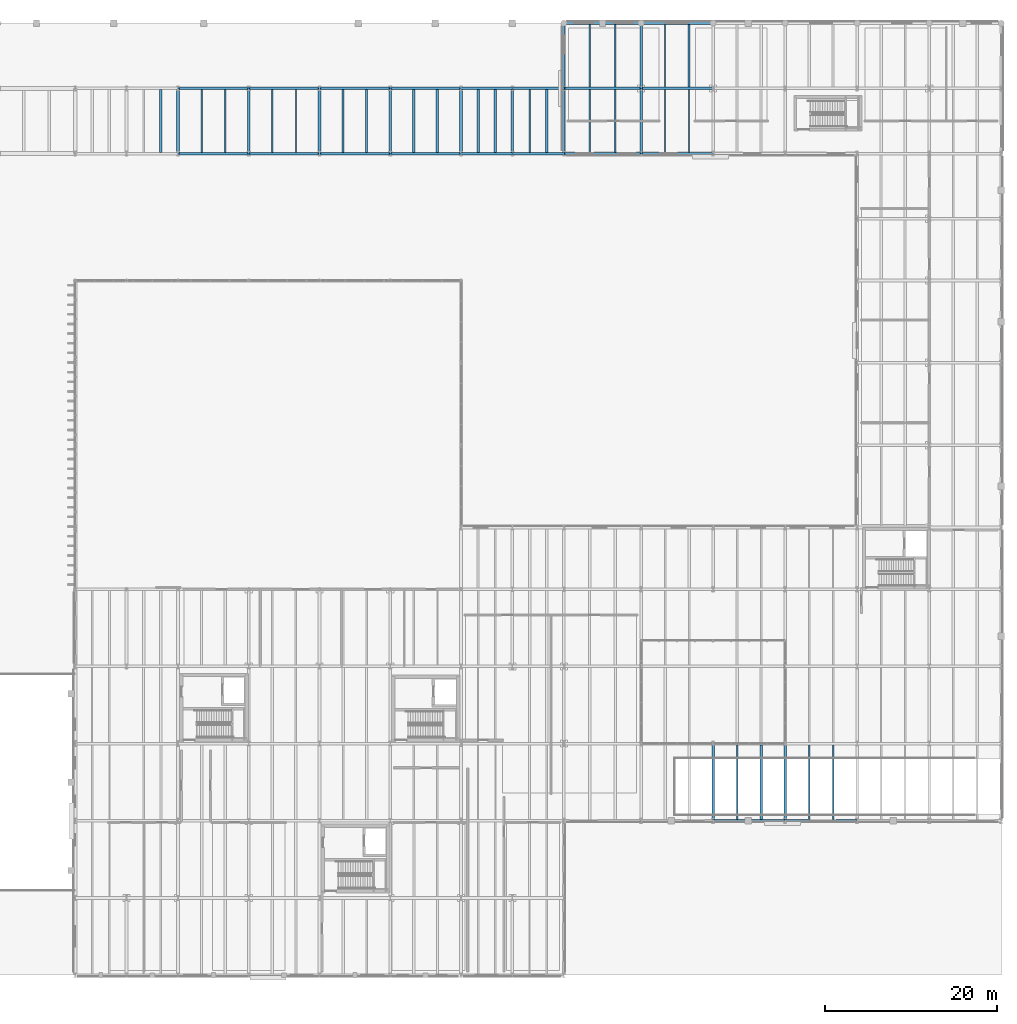
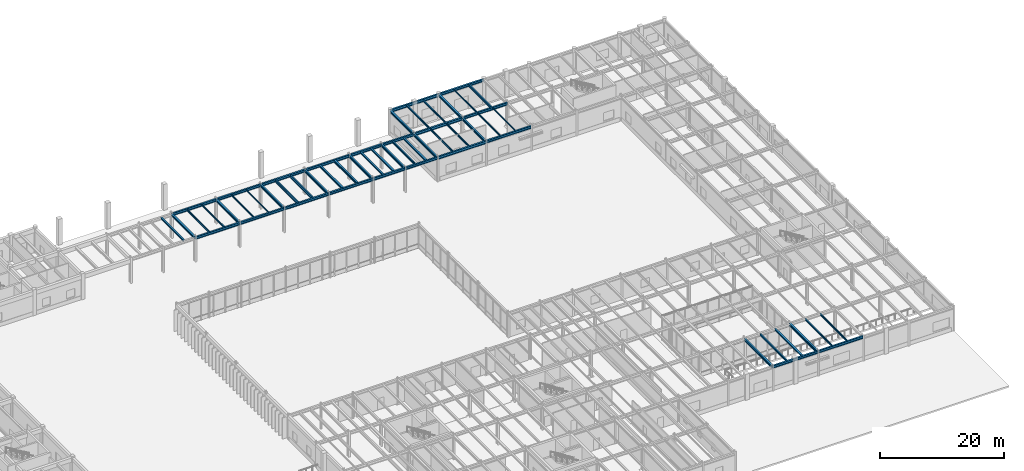
# One storey, part 27 of 64: 57 beams.
"""IFC4 building model written with IfcOpenShell, lengths in metres."""

from ifc_helpers import new_model, si_unit, direction, frame, origin, origin_2d, place, context, subcontext, project, spatial, i_section, extrude, material, material_profile, profile_set, type_object, element, save


model = new_model("IFC4")

# Units and contexts
model_context = context("Model", 3, precision=1e-05, world=origin(), true_north=direction((0.0, 1.0)))
body_context = subcontext(model_context, "Body", "Model", "MODEL_VIEW")
ifc_project = project(units=[si_unit("LENGTHUNIT", "METRE"), si_unit("AREAUNIT", "SQUARE_METRE"), si_unit("VOLUMEUNIT", "CUBIC_METRE"), si_unit("PLANEANGLEUNIT", "RADIAN"), si_unit("MASSUNIT", "GRAM", prefix="KILO")], contexts=[model_context])

# Site, building, storey
site_placement = place(None, origin())
site = spatial("IfcSite", under=ifc_project, at=site_placement, CompositionType="ELEMENT")
building_placement = place(site_placement, origin())
building = spatial("IfcBuilding", under=site, at=building_placement, Name="Montealbar Specialist Clinic", CompositionType="ELEMENT")
storey_placement = place(building_placement, origin())
storey = spatial("IfcBuildingStorey", under=building, at=storey_placement, Name="L00", CompositionType="ELEMENT", Elevation=0.0)

# Beams
ifc_material = material(Name="Steel S355", Category="steel")
ifc_material_profile_1 = material_profile(ifc_material, i_section(OverallWidth=0.300048828125, OverallDepth=0.449951171875, WebThickness=0.013916015625, FlangeThickness=0.02587890625, FilletRadius=0.027099609375, at=origin_2d()), Name="HEB 450", Category="steel")
ifc_profile_set_1 = profile_set([ifc_material_profile_1], Name="Steel S355")
beam_type_1 = type_object("IfcBeamType", Name="BM-GIRD-HEB450", PredefinedType="BEAM", material=ifc_profile_set_1)
for number, where, z_axis, x_axis, name in (
    (1, (66.0, 95.800048828125, 4.5849609375), (0.0, 1.0, 0.0), (-1.0, 0.0, 0.0), "Beam GY-L00-660-958-1034"),
    (2, (74.25, 95.800048828125, 4.5849609375), (0.0, 1.0, 0.0), (-1.0, 0.0, 0.0), "Beam GY-L00-742-958-1034"),
    (3, (82.5, 95.800048828125, 4.5849609375), (0.0, 1.0, 0.0), (-1.0, 0.0, 0.0), "Beam GY-L00-825-958-1034"),
    (4, (90.75, 95.800048828125, 4.5849609375), (0.0, 1.0, 0.0), (-1.0, 0.0, 0.0), "Beam GY-L00-908-958-1034"),
    (5, (99.0, 95.800048828125, 4.5849609375), (0.0, 1.0, 0.0), (-1.0, 0.0, 0.0), "Beam GY-L00-990-958-1034"),
    (6, (105.0, 95.800048828125, 4.5849609375), (0.0, 1.0, 0.0), (-1.0, 0.0, 0.0), "Beam GY-L00-1050-958-1034"),
    (7, (111.0, 95.800048828125, 4.5849609375), (0.0, 1.0, 0.0), (-1.0, 0.0, 0.0), "Beam GY-L00-1110-958-1034"),
    (8, (120.0, 95.800048828125, 4.5849609375), (0.0, 1.0, 0.0), (-1.0, 0.0, 0.0), "Beam GY-L00-1200-958-1034"),
):
    element("IfcBeam", number, at=place(storey_placement, frame(where, z_axis=z_axis, x_axis=x_axis)), inside=storey, type_object=beam_type_1, Name=name, PredefinedType="BEAM", context=body_context, shape_type="SweptSolid", body=[
        extrude(i_section(OverallWidth=0.300048828125, OverallDepth=0.449951171875, WebThickness=0.013916015625, FlangeThickness=0.02587890625, FilletRadius=0.027099609375, at=origin_2d()), origin(), (0.0, 0.0, 1.0), 7.599853515625),
    ])
ifc_material_profile_2 = material_profile(ifc_material, i_section(OverallWidth=0.300048828125, OverallDepth=0.449951171875, WebThickness=0.013916015625, FlangeThickness=0.02587890625, FilletRadius=0.027099609375, at=origin_2d()), Name="HEB 450", Category="steel")
ifc_profile_set_2 = profile_set([ifc_material_profile_2], Name="Steel S355")
beam_type_2 = type_object("IfcBeamType", Name="BM-GIRD-HEB450-EXT", PredefinedType="BEAM", material=ifc_profile_set_2)
for number, where, z_axis, x_axis, name in (
    (9, (111.0, 103.39990234375, 4.5849609375), (0.0, 1.0, 0.0), (-1.0, 0.0, 0.0), "Beam GY-L00-1110-1034-1110"),
    (10, (120.0, 103.39990234375, 4.5849609375), (0.0, 1.0, 0.0), (-1.0, 0.0, 0.0), "Beam GY-L00-1200-1034-1110"),
):
    element("IfcBeam", number, at=place(storey_placement, frame(where, z_axis=z_axis, x_axis=x_axis)), inside=storey, type_object=beam_type_2, Name=name, PredefinedType="BEAM", context=body_context, shape_type="SweptSolid", body=[
        extrude(i_section(OverallWidth=0.300048828125, OverallDepth=0.449951171875, WebThickness=0.013916015625, FlangeThickness=0.02587890625, FilletRadius=0.027099609375, at=origin_2d()), origin(), (0.0, 0.0, 1.0), 7.60009765625),
    ])
ifc_material_profile_3 = material_profile(ifc_material, i_section(OverallWidth=0.300048828125, OverallDepth=0.5, WebThickness=0.014404296875, FlangeThickness=0.028076171875, FilletRadius=0.027099609375, at=origin_2d()), Name="HEB 500", Category="steel")
ifc_profile_set_3 = profile_set([ifc_material_profile_3], Name="Steel S355")
beam_type_3 = type_object("IfcBeamType", Name="BM-GIRD-HEB500", PredefinedType="BEAM", material=ifc_profile_set_3)
for number, where, z_axis, x_axis, name in (
    (11, (66.0, 103.39990234375, 4.56005859375), (1.0, 0.0, 0.0), (0.0, 1.0, 0.0), "Beam GX-L00-660-742-1034"),
    (12, (74.25, 103.39990234375, 4.56005859375), (1.0, 0.0, 0.0), (0.0, 1.0, 0.0), "Beam GX-L00-742-825-1034"),
    (13, (82.5, 103.39990234375, 4.56005859375), (1.0, 0.0, 0.0), (0.0, 1.0, 0.0), "Beam GX-L00-825-908-1034"),
    (14, (90.75, 103.39990234375, 4.56005859375), (1.0, 0.0, 0.0), (0.0, 1.0, 0.0), "Beam GX-L00-908-990-1034"),
):
    element("IfcBeam", number, at=place(storey_placement, frame(where, z_axis=z_axis, x_axis=x_axis)), inside=storey, type_object=beam_type_3, Name=name, PredefinedType="BEAM", context=body_context, shape_type="SweptSolid", body=[
        extrude(i_section(OverallWidth=0.300048828125, OverallDepth=0.5, WebThickness=0.014404296875, FlangeThickness=0.028076171875, FilletRadius=0.027099609375, at=origin_2d()), origin(), (0.0, 0.0, 1.0), 8.25),
    ])
for number, where, z_axis, x_axis, name in (
    (15, (99.0, 103.39990234375, 4.56005859375), (1.0, 0.0, 0.0), (0.0, 1.0, 0.0), "Beam GX-L00-990-1050-1034"),
    (16, (105.0, 103.39990234375, 4.56005859375), (1.0, 0.0, 0.0), (0.0, 1.0, 0.0), "Beam GX-L00-1050-1110-1034"),
):
    element("IfcBeam", number, at=place(storey_placement, frame(where, z_axis=z_axis, x_axis=x_axis)), inside=storey, type_object=beam_type_3, Name=name, PredefinedType="BEAM", context=body_context, shape_type="SweptSolid", body=[
        extrude(i_section(OverallWidth=0.300048828125, OverallDepth=0.5, WebThickness=0.014404296875, FlangeThickness=0.028076171875, FilletRadius=0.027099609375, at=origin_2d()), origin(), (0.0, 0.0, 1.0), 6.0),
    ])
beam_1_placement = place(storey_placement, frame((120.0, 103.39990234375, 4.56005859375), z_axis=(1.0, 0.0, 0.0), x_axis=(0.0, 1.0, 0.0)))
element("IfcBeam", 17, at=beam_1_placement, inside=storey, type_object=beam_type_3, Name="Beam GX-L00-1200-1284-1034", PredefinedType="BEAM", context=body_context, shape_type="SweptSolid", body=[
    extrude(i_section(OverallWidth=0.300048828125, OverallDepth=0.5, WebThickness=0.014404296875, FlangeThickness=0.028076171875, FilletRadius=0.027099609375, at=origin_2d()), origin(), (0.0, 0.0, 1.0), 8.39990234375),
])
ifc_material_profile_4 = material_profile(ifc_material, i_section(OverallWidth=0.300048828125, OverallDepth=0.5, WebThickness=0.014404296875, FlangeThickness=0.028076171875, FilletRadius=0.027099609375, at=origin_2d()), Name="HEB 500", Category="steel")
ifc_profile_set_4 = profile_set([ifc_material_profile_4], Name="Steel S355")
beam_type_4 = type_object("IfcBeamType", Name="BM-GIRD-HEB500-EXT", PredefinedType="BEAM", material=ifc_profile_set_4)
beam_2_placement = place(storey_placement, frame((128.39990234375, 18.0, 4.580078125), z_axis=(1.0, 0.0, 0.0), x_axis=(0.0, 1.0, 0.0)))
element("IfcBeam", 18, at=beam_2_placement, inside=storey, type_object=beam_type_4, Name="Beam GX-L00-1284-1368-180", PredefinedType="BEAM", context=body_context, shape_type="SweptSolid", body=[
    extrude(i_section(OverallWidth=0.300048828125, OverallDepth=0.5, WebThickness=0.014404296875, FlangeThickness=0.028076171875, FilletRadius=0.027099609375, at=origin_2d()), origin(), (0.0, 0.0, 1.0), 8.400146484375),
])
beam_3_placement = place(storey_placement, frame((136.800048828125, 18.0, 4.580078125), z_axis=(1.0, 0.0, 0.0), x_axis=(0.0, 1.0, 0.0)))
element("IfcBeam", 19, at=beam_3_placement, inside=storey, type_object=beam_type_4, Name="Beam GX-L00-1368-1452-180", PredefinedType="BEAM", context=body_context, shape_type="SweptSolid", body=[
    extrude(i_section(OverallWidth=0.300048828125, OverallDepth=0.5, WebThickness=0.014404296875, FlangeThickness=0.028076171875, FilletRadius=0.027099609375, at=origin_2d()), origin(), (0.0, 0.0, 1.0), 8.39990234375),
])
for number, where, z_axis, x_axis, name in (
    (20, (66.0, 95.800048828125, 4.56005859375), (1.0, 0.0, 0.0), (0.0, 1.0, 0.0), "Beam GX-L00-660-742-958"),
    (21, (74.25, 95.800048828125, 4.56005859375), (1.0, 0.0, 0.0), (0.0, 1.0, 0.0), "Beam GX-L00-742-825-958"),
    (22, (82.5, 95.800048828125, 4.56005859375), (1.0, 0.0, 0.0), (0.0, 1.0, 0.0), "Beam GX-L00-825-908-958"),
    (23, (90.75, 95.800048828125, 4.56005859375), (1.0, 0.0, 0.0), (0.0, 1.0, 0.0), "Beam GX-L00-908-990-958"),
):
    element("IfcBeam", number, at=place(storey_placement, frame(where, z_axis=z_axis, x_axis=x_axis)), inside=storey, type_object=beam_type_4, Name=name, PredefinedType="BEAM", context=body_context, shape_type="SweptSolid", body=[
        extrude(i_section(OverallWidth=0.300048828125, OverallDepth=0.5, WebThickness=0.014404296875, FlangeThickness=0.028076171875, FilletRadius=0.027099609375, at=origin_2d()), origin(), (0.0, 0.0, 1.0), 8.25),
    ])
for number, where, z_axis, x_axis, name in (
    (24, (99.0, 95.800048828125, 4.56005859375), (1.0, 0.0, 0.0), (0.0, 1.0, 0.0), "Beam GX-L00-990-1050-958"),
    (25, (105.0, 95.800048828125, 4.56005859375), (1.0, 0.0, 0.0), (0.0, 1.0, 0.0), "Beam GX-L00-1050-1110-958"),
):
    element("IfcBeam", number, at=place(storey_placement, frame(where, z_axis=z_axis, x_axis=x_axis)), inside=storey, type_object=beam_type_4, Name=name, PredefinedType="BEAM", context=body_context, shape_type="SweptSolid", body=[
        extrude(i_section(OverallWidth=0.300048828125, OverallDepth=0.5, WebThickness=0.014404296875, FlangeThickness=0.028076171875, FilletRadius=0.027099609375, at=origin_2d()), origin(), (0.0, 0.0, 1.0), 6.0),
    ])
for number, where, z_axis, x_axis, name in (
    (26, (120.0, 95.800048828125, 4.56005859375), (1.0, 0.0, 0.0), (0.0, 1.0, 0.0), "Beam GX-L00-1200-1284-958"),
    (27, (120.0, 111.0, 4.580078125), (1.0, 0.0, 0.0), (0.0, 1.0, 0.0), "Beam GX-L00-1200-1284-1110"),
):
    element("IfcBeam", number, at=place(storey_placement, frame(where, z_axis=z_axis, x_axis=x_axis)), inside=storey, type_object=beam_type_4, Name=name, PredefinedType="BEAM", context=body_context, shape_type="SweptSolid", body=[
        extrude(i_section(OverallWidth=0.300048828125, OverallDepth=0.5, WebThickness=0.014404296875, FlangeThickness=0.028076171875, FilletRadius=0.027099609375, at=origin_2d()), origin(), (0.0, 0.0, 1.0), 8.39990234375),
    ])
for number, where, z_axis, x_axis, name in (
    (28, (128.39990234375, 18.0, 4.56005859375), (0.0, 1.0, 0.0), (-1.0, 0.0, 0.0), "Beam GY-L00-1284-180-270"),
    (29, (136.800048828125, 18.0, 4.56005859375), (0.0, 1.0, 0.0), (-1.0, 0.0, 0.0), "Beam GY-L00-1368-180-270"),
):
    element("IfcBeam", number, at=place(storey_placement, frame(where, z_axis=z_axis, x_axis=x_axis)), inside=storey, type_object=beam_type_4, Name=name, PredefinedType="BEAM", context=body_context, shape_type="SweptSolid", body=[
        extrude(i_section(OverallWidth=0.300048828125, OverallDepth=0.5, WebThickness=0.014404296875, FlangeThickness=0.028076171875, FilletRadius=0.027099609375, at=origin_2d()), origin(), (0.0, 0.0, 1.0), 9.0),
    ])
ifc_material_profile_5 = material_profile(ifc_material, i_section(OverallWidth=0.300048828125, OverallDepth=0.550048828125, WebThickness=0.014892578125, FlangeThickness=0.029052734375, FilletRadius=0.027099609375, at=origin_2d()), Name="HEB 550", Category="steel")
ifc_profile_set_5 = profile_set([ifc_material_profile_5], Name="Steel S355")
beam_type_5 = type_object("IfcBeamType", Name="BM-GIRD-HEB550", PredefinedType="BEAM", material=ifc_profile_set_5)
beam_4_placement = place(storey_placement, frame((111.0, 103.39990234375, 4.534912109375), z_axis=(1.0, 0.0, 0.0), x_axis=(0.0, 1.0, 0.0)))
element("IfcBeam", 30, at=beam_4_placement, inside=storey, type_object=beam_type_5, Name="Beam GX-L00-1110-1200-1034", PredefinedType="BEAM", context=body_context, shape_type="SweptSolid", body=[
    extrude(i_section(OverallWidth=0.300048828125, OverallDepth=0.550048828125, WebThickness=0.014892578125, FlangeThickness=0.029052734375, FilletRadius=0.027099609375, at=origin_2d()), origin(), (0.0, 0.0, 1.0), 9.0),
])
ifc_material_profile_6 = material_profile(ifc_material, i_section(OverallWidth=0.300048828125, OverallDepth=0.550048828125, WebThickness=0.014892578125, FlangeThickness=0.029052734375, FilletRadius=0.027099609375, at=origin_2d()), Name="HEB 550", Category="steel")
ifc_profile_set_6 = profile_set([ifc_material_profile_6], Name="Steel S355")
beam_type_6 = type_object("IfcBeamType", Name="BM-GIRD-HEB550-EXT", PredefinedType="BEAM", material=ifc_profile_set_6)
for number, where, z_axis, x_axis, name in (
    (31, (111.0, 95.800048828125, 4.534912109375), (1.0, 0.0, 0.0), (0.0, 1.0, 0.0), "Beam GX-L00-1110-1200-958"),
    (32, (111.0, 111.0, 4.554931640625), (1.0, 0.0, 0.0), (0.0, 1.0, 0.0), "Beam GX-L00-1110-1200-1110"),
):
    element("IfcBeam", number, at=place(storey_placement, frame(where, z_axis=z_axis, x_axis=x_axis)), inside=storey, type_object=beam_type_6, Name=name, PredefinedType="BEAM", context=body_context, shape_type="SweptSolid", body=[
        extrude(i_section(OverallWidth=0.300048828125, OverallDepth=0.550048828125, WebThickness=0.014892578125, FlangeThickness=0.029052734375, FilletRadius=0.027099609375, at=origin_2d()), origin(), (0.0, 0.0, 1.0), 9.0),
    ])
ifc_material_profile_7 = material_profile(ifc_material, i_section(OverallWidth=0.300048828125, OverallDepth=0.43994140625, WebThickness=0.011474609375, FlangeThickness=0.02099609375, FilletRadius=0.027099609375, at=origin_2d()), Name="HEA 450", Category="steel")
ifc_profile_set_7 = profile_set([ifc_material_profile_7], Name="Steel S355")
beam_type_7 = type_object("IfcBeamType", Name="BM-JST-HEA450", PredefinedType="JOIST", material=ifc_profile_set_7)
beam_5_placement = place(storey_placement, frame((93.5, 95.949951171875, 4.590087890625), z_axis=(0.0, 1.0, 0.0), x_axis=(-1.0, 0.0, 0.0)))
element("IfcBeam", 33, at=beam_5_placement, inside=storey, type_object=beam_type_7, Name="Beam JST-L00-935-960-1032", PredefinedType="JOIST", context=body_context, shape_type="SweptSolid", body=[
    extrude(i_section(OverallWidth=0.300048828125, OverallDepth=0.43994140625, WebThickness=0.011474609375, FlangeThickness=0.02099609375, FilletRadius=0.027099609375, at=origin_2d()), origin(), (0.0, 0.0, 1.0), 7.300048828125),
])
ifc_material_profile_8 = material_profile(ifc_material, i_section(OverallWidth=0.300048828125, OverallDepth=0.489990234375, WebThickness=0.011962890625, FlangeThickness=0.02294921875, FilletRadius=0.027099609375, at=origin_2d()), Name="HEA 500", Category="steel")
ifc_profile_set_8 = profile_set([ifc_material_profile_8], Name="Steel S355")
beam_type_8 = type_object("IfcBeamType", Name="BM-JST-HEA500", PredefinedType="JOIST", material=ifc_profile_set_8)
beam_6_placement = place(storey_placement, frame((96.25, 95.949951171875, 4.56494140625), z_axis=(0.0, 1.0, 0.0), x_axis=(-1.0, 0.0, 0.0)))
element("IfcBeam", 34, at=beam_6_placement, inside=storey, type_object=beam_type_8, Name="Beam JST-L00-962-960-1032", PredefinedType="JOIST", context=body_context, shape_type="SweptSolid", body=[
    extrude(i_section(OverallWidth=0.300048828125, OverallDepth=0.489990234375, WebThickness=0.011962890625, FlangeThickness=0.02294921875, FilletRadius=0.027099609375, at=origin_2d()), origin(), (0.0, 0.0, 1.0), 7.300048828125),
])
ifc_material_profile_9 = material_profile(ifc_material, i_section(OverallWidth=0.280029296875, OverallDepth=0.280029296875, WebThickness=0.010498046875, FlangeThickness=0.01806640625, FilletRadius=0.02392578125, at=origin_2d()), Name="HEB 280", Category="steel")
ifc_profile_set_9 = profile_set([ifc_material_profile_9], Name="Steel S355")
beam_type_9 = type_object("IfcBeamType", Name="BM-JST-HEB280", PredefinedType="JOIST", material=ifc_profile_set_9)
beam_7_placement = place(storey_placement, frame((101.0, 95.949951171875, 4.669921875), z_axis=(0.0, 1.0, 0.0), x_axis=(-1.0, 0.0, 0.0)))
element("IfcBeam", 35, at=beam_7_placement, inside=storey, type_object=beam_type_9, Name="Beam JST-L00-1010-960-1032", PredefinedType="JOIST", context=body_context, shape_type="SweptSolid", body=[
    extrude(i_section(OverallWidth=0.280029296875, OverallDepth=0.280029296875, WebThickness=0.010498046875, FlangeThickness=0.01806640625, FilletRadius=0.02392578125, at=origin_2d()), origin(), (0.0, 0.0, 1.0), 7.300048828125),
])
ifc_material_profile_10 = material_profile(ifc_material, i_section(OverallWidth=0.300048828125, OverallDepth=0.320068359375, WebThickness=0.011474609375, FlangeThickness=0.0205078125, FilletRadius=0.027099609375, at=origin_2d()), Name="HEB 320", Category="steel")
ifc_profile_set_10 = profile_set([ifc_material_profile_10], Name="Steel S355")
beam_type_10 = type_object("IfcBeamType", Name="BM-JST-HEB320", PredefinedType="JOIST", material=ifc_profile_set_10)
beam_8_placement = place(storey_placement, frame((103.0, 95.949951171875, 4.64990234375), z_axis=(0.0, 1.0, 0.0), x_axis=(-1.0, 0.0, 0.0)))
element("IfcBeam", 36, at=beam_8_placement, inside=storey, type_object=beam_type_10, Name="Beam JST-L00-1030-960-1032", PredefinedType="JOIST", context=body_context, shape_type="SweptSolid", body=[
    extrude(i_section(OverallWidth=0.300048828125, OverallDepth=0.320068359375, WebThickness=0.011474609375, FlangeThickness=0.0205078125, FilletRadius=0.027099609375, at=origin_2d()), origin(), (0.0, 0.0, 1.0), 7.300048828125),
])
ifc_material_profile_11 = material_profile(ifc_material, i_section(OverallWidth=0.1201171875, OverallDepth=0.239990234375, WebThickness=0.006103515625, FlangeThickness=0.009765625, FilletRadius=0.014892578125, at=origin_2d()), Name="IPE 240", Category="steel")
ifc_profile_set_11 = profile_set([ifc_material_profile_11], Name="Steel S355")
beam_type_11 = type_object("IfcBeamType", Name="BM-JST-IPE240", PredefinedType="JOIST", material=ifc_profile_set_11)
for number, where, z_axis, x_axis, name in (
    (37, (79.75, 95.949951171875, 4.68994140625), (0.0, 1.0, 0.0), (-1.0, 0.0, 0.0), "Beam JST-L00-798-960-1032"),
    (38, (125.60009765625, 95.949951171875, 4.68994140625), (0.0, 1.0, 0.0), (-1.0, 0.0, 0.0), "Beam JST-L00-1256-960-1032"),
    (39, (122.800048828125, 103.550048828125, 4.68994140625), (0.0, 1.0, 0.0), (-1.0, 0.0, 0.0), "Beam JST-L00-1228-1036-1108"),
):
    element("IfcBeam", number, at=place(storey_placement, frame(where, z_axis=z_axis, x_axis=x_axis)), inside=storey, type_object=beam_type_11, Name=name, PredefinedType="JOIST", context=body_context, shape_type="SweptSolid", body=[
        extrude(i_section(OverallWidth=0.1201171875, OverallDepth=0.239990234375, WebThickness=0.006103515625, FlangeThickness=0.009765625, FilletRadius=0.014892578125, at=origin_2d()), origin(), (0.0, 0.0, 1.0), 7.300048828125),
    ])
ifc_material_profile_12 = material_profile(ifc_material, i_section(OverallWidth=0.135009765625, OverallDepth=0.27001953125, WebThickness=0.006591796875, FlangeThickness=0.01025390625, FilletRadius=0.014892578125, at=origin_2d()), Name="IPE 270", Category="steel")
ifc_profile_set_12 = profile_set([ifc_material_profile_12], Name="Steel S355")
beam_type_12 = type_object("IfcBeamType", Name="BM-JST-IPE270", PredefinedType="JOIST", material=ifc_profile_set_12)
for number, where, z_axis, x_axis, name in (
    (40, (77.0, 95.949951171875, 4.675048828125), (0.0, 1.0, 0.0), (-1.0, 0.0, 0.0), "Beam JST-L00-770-960-1032"),
    (41, (122.800048828125, 95.949951171875, 4.675048828125), (0.0, 1.0, 0.0), (-1.0, 0.0, 0.0), "Beam JST-L00-1228-960-1032"),
):
    element("IfcBeam", number, at=place(storey_placement, frame(where, z_axis=z_axis, x_axis=x_axis)), inside=storey, type_object=beam_type_12, Name=name, PredefinedType="JOIST", context=body_context, shape_type="SweptSolid", body=[
        extrude(i_section(OverallWidth=0.135009765625, OverallDepth=0.27001953125, WebThickness=0.006591796875, FlangeThickness=0.01025390625, FilletRadius=0.014892578125, at=origin_2d()), origin(), (0.0, 0.0, 1.0), 7.300048828125),
    ])
ifc_material_profile_13 = material_profile(ifc_material, i_section(OverallWidth=0.14990234375, OverallDepth=0.300048828125, WebThickness=0.007080078125, FlangeThickness=0.0107421875, FilletRadius=0.014892578125, at=origin_2d()), Name="IPE 300", Category="steel")
ifc_profile_set_13 = profile_set([ifc_material_profile_13], Name="Steel S355")
beam_type_13 = type_object("IfcBeamType", Name="BM-JST-IPE300", PredefinedType="JOIST", material=ifc_profile_set_13)
beam_9_placement = place(storey_placement, frame((117.0, 103.550048828125, 4.659912109375), z_axis=(0.0, 1.0, 0.0), x_axis=(-1.0, 0.0, 0.0)))
element("IfcBeam", 42, at=beam_9_placement, inside=storey, type_object=beam_type_13, Name="Beam JST-L00-1170-1036-1108", PredefinedType="JOIST", context=body_context, shape_type="SweptSolid", body=[
    extrude(i_section(OverallWidth=0.14990234375, OverallDepth=0.300048828125, WebThickness=0.007080078125, FlangeThickness=0.0107421875, FilletRadius=0.014892578125, at=origin_2d()), origin(), (0.0, 0.0, 1.0), 7.300048828125),
])
ifc_material_profile_14 = material_profile(ifc_material, i_section(OverallWidth=0.159912109375, OverallDepth=0.330078125, WebThickness=0.007568359375, FlangeThickness=0.011474609375, FilletRadius=0.01806640625, at=origin_2d()), Name="IPE 330", Category="steel")
ifc_profile_set_14 = profile_set([ifc_material_profile_14], Name="Steel S355")
beam_type_14 = type_object("IfcBeamType", Name="BM-JST-IPE330", PredefinedType="JOIST", material=ifc_profile_set_14)
for number, where, z_axis, x_axis, name in (
    (43, (71.5, 95.949951171875, 4.64501953125), (0.0, 1.0, 0.0), (-1.0, 0.0, 0.0), "Beam JST-L00-715-960-1032"),
    (44, (117.0, 95.949951171875, 4.64501953125), (0.0, 1.0, 0.0), (-1.0, 0.0, 0.0), "Beam JST-L00-1170-960-1032"),
    (45, (114.0, 103.550048828125, 4.64501953125), (0.0, 1.0, 0.0), (-1.0, 0.0, 0.0), "Beam JST-L00-1140-1036-1108"),
):
    element("IfcBeam", number, at=place(storey_placement, frame(where, z_axis=z_axis, x_axis=x_axis)), inside=storey, type_object=beam_type_14, Name=name, PredefinedType="JOIST", context=body_context, shape_type="SweptSolid", body=[
        extrude(i_section(OverallWidth=0.159912109375, OverallDepth=0.330078125, WebThickness=0.007568359375, FlangeThickness=0.011474609375, FilletRadius=0.01806640625, at=origin_2d()), origin(), (0.0, 0.0, 1.0), 7.300048828125),
    ])
beam_10_placement = place(storey_placement, frame((142.39990234375, 18.14990234375, 4.64501953125), z_axis=(0.0, 1.0, 0.0), x_axis=(-1.0, 0.0, 0.0)))
element("IfcBeam", 46, at=beam_10_placement, inside=storey, type_object=beam_type_14, Name="Beam JST-L00-1424-182-268", PredefinedType="JOIST", context=body_context, shape_type="SweptSolid", body=[
    extrude(i_section(OverallWidth=0.159912109375, OverallDepth=0.330078125, WebThickness=0.007568359375, FlangeThickness=0.011474609375, FilletRadius=0.01806640625, at=origin_2d()), origin(), (0.0, 0.0, 1.0), 8.7001953125),
])
ifc_material_profile_15 = material_profile(ifc_material, i_section(OverallWidth=0.169921875, OverallDepth=0.360107421875, WebThickness=0.008056640625, FlangeThickness=0.0126953125, FilletRadius=0.01806640625, at=origin_2d()), Name="IPE 360", Category="steel")
ifc_profile_set_15 = profile_set([ifc_material_profile_15], Name="Steel S355")
beam_type_15 = type_object("IfcBeamType", Name="BM-JST-IPE360", PredefinedType="JOIST", material=ifc_profile_set_15)
for number, where, z_axis, x_axis, name in (
    (47, (68.75, 95.949951171875, 4.6298828125), (0.0, 1.0, 0.0), (-1.0, 0.0, 0.0), "Beam JST-L00-688-960-1032"),
    (48, (114.0, 95.949951171875, 4.6298828125), (0.0, 1.0, 0.0), (-1.0, 0.0, 0.0), "Beam JST-L00-1140-960-1032"),
):
    element("IfcBeam", number, at=place(storey_placement, frame(where, z_axis=z_axis, x_axis=x_axis)), inside=storey, type_object=beam_type_15, Name=name, PredefinedType="JOIST", context=body_context, shape_type="SweptSolid", body=[
        extrude(i_section(OverallWidth=0.169921875, OverallDepth=0.360107421875, WebThickness=0.008056640625, FlangeThickness=0.0126953125, FilletRadius=0.01806640625, at=origin_2d()), origin(), (0.0, 0.0, 1.0), 7.300048828125),
    ])
beam_11_placement = place(storey_placement, frame((139.60009765625, 18.14990234375, 4.6298828125), z_axis=(0.0, 1.0, 0.0), x_axis=(-1.0, 0.0, 0.0)))
element("IfcBeam", 49, at=beam_11_placement, inside=storey, type_object=beam_type_15, Name="Beam JST-L00-1396-182-268", PredefinedType="JOIST", context=body_context, shape_type="SweptSolid", body=[
    extrude(i_section(OverallWidth=0.169921875, OverallDepth=0.360107421875, WebThickness=0.008056640625, FlangeThickness=0.0126953125, FilletRadius=0.01806640625, at=origin_2d()), origin(), (0.0, 0.0, 1.0), 8.7001953125),
])
ifc_material_profile_16 = material_profile(ifc_material, i_section(OverallWidth=0.199951171875, OverallDepth=0.5, WebThickness=0.01025390625, FlangeThickness=0.01611328125, FilletRadius=0.02099609375, at=origin_2d()), Name="IPE 500", Category="steel")
ifc_profile_set_16 = profile_set([ifc_material_profile_16], Name="Steel S355")
beam_type_16 = type_object("IfcBeamType", Name="BM-JST-IPE500", PredefinedType="JOIST", material=ifc_profile_set_16)
beam_12_placement = place(storey_placement, frame((125.60009765625, 103.550048828125, 4.56005859375), z_axis=(0.0, 1.0, 0.0), x_axis=(-1.0, 0.0, 0.0)))
element("IfcBeam", 50, at=beam_12_placement, inside=storey, type_object=beam_type_16, Name="Beam JST-L00-1256-1036-1108", PredefinedType="JOIST", context=body_context, shape_type="SweptSolid", body=[
    extrude(i_section(OverallWidth=0.199951171875, OverallDepth=0.5, WebThickness=0.01025390625, FlangeThickness=0.01611328125, FilletRadius=0.02099609375, at=origin_2d()), origin(), (0.0, 0.0, 1.0), 7.300048828125),
])
ifc_material_profile_17 = material_profile(ifc_material, i_section(OverallWidth=0.2099609375, OverallDepth=0.550048828125, WebThickness=0.010986328125, FlangeThickness=0.01708984375, FilletRadius=0.02392578125, at=origin_2d()), Name="IPE 550", Category="steel")
ifc_profile_set_17 = profile_set([ifc_material_profile_17], Name="Steel S355")
beam_type_17 = type_object("IfcBeamType", Name="BM-JST-IPE550", PredefinedType="JOIST", material=ifc_profile_set_17)
beam_13_placement = place(storey_placement, frame((85.25, 95.949951171875, 4.534912109375), z_axis=(0.0, 1.0, 0.0), x_axis=(-1.0, 0.0, 0.0)))
element("IfcBeam", 51, at=beam_13_placement, inside=storey, type_object=beam_type_17, Name="Beam JST-L00-852-960-1032", PredefinedType="JOIST", context=body_context, shape_type="SweptSolid", body=[
    extrude(i_section(OverallWidth=0.2099609375, OverallDepth=0.550048828125, WebThickness=0.010986328125, FlangeThickness=0.01708984375, FilletRadius=0.02392578125, at=origin_2d()), origin(), (0.0, 0.0, 1.0), 7.300048828125),
])
ifc_material_profile_18 = material_profile(ifc_material, i_section(OverallWidth=0.219970703125, OverallDepth=0.60009765625, WebThickness=0.011962890625, FlangeThickness=0.01904296875, FilletRadius=0.02392578125, at=origin_2d()), Name="IPE 600", Category="steel")
ifc_profile_set_18 = profile_set([ifc_material_profile_18], Name="Steel S355")
beam_type_18 = type_object("IfcBeamType", Name="BM-JST-IPE600", PredefinedType="JOIST", material=ifc_profile_set_18)
beam_14_placement = place(storey_placement, frame((88.0, 95.949951171875, 4.510009765625), z_axis=(0.0, 1.0, 0.0), x_axis=(-1.0, 0.0, 0.0)))
element("IfcBeam", 52, at=beam_14_placement, inside=storey, type_object=beam_type_18, Name="Beam JST-L00-880-960-1032", PredefinedType="JOIST", context=body_context, shape_type="SweptSolid", body=[
    extrude(i_section(OverallWidth=0.219970703125, OverallDepth=0.60009765625, WebThickness=0.011962890625, FlangeThickness=0.01904296875, FilletRadius=0.02392578125, at=origin_2d()), origin(), (0.0, 0.0, 1.0), 7.300048828125),
])
ifc_material_profile_19 = material_profile(ifc_material, i_section(OverallWidth=0.179931640625, OverallDepth=0.39990234375, WebThickness=0.008544921875, FlangeThickness=0.013427734375, FilletRadius=0.02099609375, at=origin_2d()), Name="IPE 400", Category="steel")
ifc_profile_set_19 = profile_set([ifc_material_profile_19], Name="Steel S355")
beam_type_19 = type_object("IfcBeamType", Name="BM-SEC-IPE400", PredefinedType="BEAM", material=ifc_profile_set_19)
beam_15_placement = place(storey_placement, frame((107.0, 95.949951171875, 4.610107421875), z_axis=(0.0, 1.0, 0.0), x_axis=(-1.0, 0.0, 0.0)))
element("IfcBeam", 53, at=beam_15_placement, inside=storey, type_object=beam_type_19, Name="Beam JST-L00-1070-960-1032", PredefinedType="BEAM", context=body_context, shape_type="SweptSolid", body=[
    extrude(i_section(OverallWidth=0.179931640625, OverallDepth=0.39990234375, WebThickness=0.008544921875, FlangeThickness=0.013427734375, FilletRadius=0.02099609375, at=origin_2d()), origin(), (0.0, 0.0, 1.0), 7.300048828125),
])
beam_16_placement = place(storey_placement, frame((131.199951171875, 18.14990234375, 4.610107421875), z_axis=(0.0, 1.0, 0.0), x_axis=(-1.0, 0.0, 0.0)))
element("IfcBeam", 54, at=beam_16_placement, inside=storey, type_object=beam_type_19, Name="Beam JST-L00-1312-182-268", PredefinedType="BEAM", context=body_context, shape_type="SweptSolid", body=[
    extrude(i_section(OverallWidth=0.179931640625, OverallDepth=0.39990234375, WebThickness=0.008544921875, FlangeThickness=0.013427734375, FilletRadius=0.02099609375, at=origin_2d()), origin(), (0.0, 0.0, 1.0), 8.7001953125),
])
ifc_material_profile_20 = material_profile(ifc_material, i_section(OverallWidth=0.300048828125, OverallDepth=0.2900390625, WebThickness=0.008544921875, FlangeThickness=0.013916015625, FilletRadius=0.027099609375, at=origin_2d()), Name="HEA 300", Category="steel")
ifc_profile_set_20 = profile_set([ifc_material_profile_20], Name="Steel S355")
beam_type_20 = type_object("IfcBeamType", Name="BM-SPAND-HEA300", PredefinedType="SPANDREL", material=ifc_profile_set_20)
for number, where, z_axis, x_axis, name in (
    (55, (64.0, 95.949951171875, 4.6650390625), (0.0, 1.0, 0.0), (-1.0, 0.0, 0.0), "Beam JST-L00-640-960-1032"),
    (56, (109.0, 95.949951171875, 4.6650390625), (0.0, 1.0, 0.0), (-1.0, 0.0, 0.0), "Beam JST-L00-1090-960-1032"),
):
    element("IfcBeam", number, at=place(storey_placement, frame(where, z_axis=z_axis, x_axis=x_axis)), inside=storey, type_object=beam_type_20, Name=name, PredefinedType="SPANDREL", context=body_context, shape_type="SweptSolid", body=[
        extrude(i_section(OverallWidth=0.300048828125, OverallDepth=0.2900390625, WebThickness=0.008544921875, FlangeThickness=0.013916015625, FilletRadius=0.027099609375, at=origin_2d()), origin(), (0.0, 0.0, 1.0), 7.300048828125),
    ])
beam_17_placement = place(storey_placement, frame((134.0, 18.14990234375, 4.6650390625), z_axis=(0.0, 1.0, 0.0), x_axis=(-1.0, 0.0, 0.0)))
element("IfcBeam", 57, at=beam_17_placement, inside=storey, type_object=beam_type_20, Name="Beam JST-L00-1340-182-268", PredefinedType="SPANDREL", context=body_context, shape_type="SweptSolid", body=[
    extrude(i_section(OverallWidth=0.300048828125, OverallDepth=0.2900390625, WebThickness=0.008544921875, FlangeThickness=0.013916015625, FilletRadius=0.027099609375, at=origin_2d()), origin(), (0.0, 0.0, 1.0), 8.7001953125),
])

save(model, "model.ifc")
